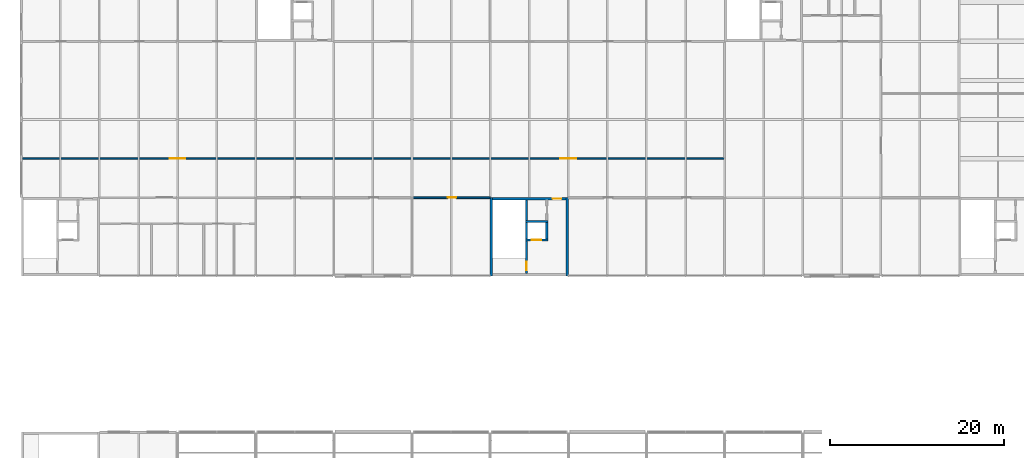
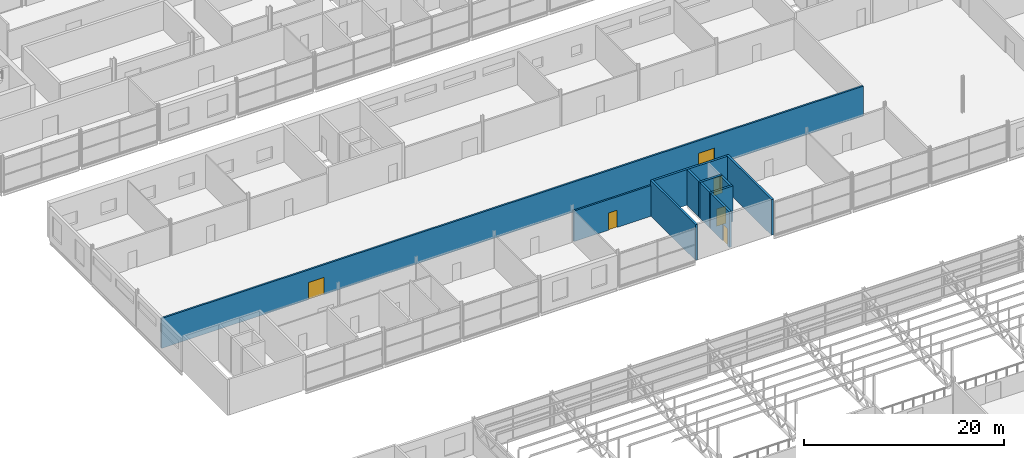
# One storey, part 114 of 138: 9 walls, 6 doors, 6 openings.
"""IFC4 building model written with IfcOpenShell, lengths in metres."""

from ifc_helpers import new_model, si_unit, direction, frame, frame_2d, origin, place, context, subcontext, project, spatial, rectangle, extrude, material, layer, layer_set, type_object, element, fill, save


model = new_model("IFC4")

# Units and contexts
model_context = context("Model", 3, precision=1e-05, world=origin(), true_north=direction((0.0, 1.0)))
body_context = subcontext(model_context, "Body", "Model", "MODEL_VIEW")
ifc_project = project(units=[si_unit("LENGTHUNIT", "METRE"), si_unit("AREAUNIT", "SQUARE_METRE"), si_unit("VOLUMEUNIT", "CUBIC_METRE"), si_unit("PLANEANGLEUNIT", "RADIAN"), si_unit("MASSUNIT", "GRAM", prefix="KILO")], contexts=[model_context])

# Site, building, storey
site_placement = place(None, origin())
site = spatial("IfcSite", under=ifc_project, at=site_placement, CompositionType="ELEMENT")
building_placement = place(site_placement, origin())
building = spatial("IfcBuilding", under=site, at=building_placement, Name="Corbel Yard City Hall", CompositionType="ELEMENT")
storey_placement = place(building_placement, frame((0.0, 0.0, 10.5)))
storey = spatial("IfcBuildingStorey", under=building, at=storey_placement, Name="L02", CompositionType="ELEMENT", Elevation=10.5)

# Walls
ifc_material_1 = material(Name="Concrete N50 (50 MPa)", Category="concrete")
ifc_layer_1 = layer(ifc_material_1, 0.25)
ifc_layer_set_1 = layer_set([ifc_layer_1], Name="Concrete N50 (50 MPa)")
wall_type_1 = type_object("IfcWallType", Name="Core cell wall 250", PredefinedType="SHEAR", material=ifc_layer_set_1)
for number, where, z_axis, x_axis, name in (
    (1, (54.125, 45.0, 0.0), (0.0, 0.0, 1.0), (0.0, 1.0, 0.0), "Core PC-M2 west wall"),
    (2, (62.875, 45.0, 0.0), (0.0, 0.0, 1.0), (0.0, 1.0, 0.0), "Core PC-M2 east wall"),
):
    element("IfcWall", number, at=place(storey_placement, frame(where, z_axis=z_axis, x_axis=x_axis)), inside=storey, type_object=wall_type_1, Name=name, PredefinedType="SHEAR", context=body_context, shape_type="SweptSolid", body=[
        extrude(rectangle(XDim=9.0, YDim=0.25, at=frame_2d((4.5, 0.0))), origin(), (0.0, 0.0, 1.0), 4.35009765625),
    ])

# Wall, opening, door
wall_1_placement = place(storey_placement, frame((54.25, 53.875, 0.0), z_axis=(0.0, 0.0, 1.0), x_axis=(1.0, 0.0, 0.0)))
wall_1 = element("IfcWall", 3, at=wall_1_placement, inside=storey, type_object=wall_type_1, Name="Core PC-M2 north wall", PredefinedType="SHEAR", context=body_context, shape_type="SweptSolid", body=[
    extrude(rectangle(XDim=8.5, YDim=0.25, at=frame_2d((4.25, 0.0))), origin(), (0.0, 0.0, 1.0), 4.35009765625),
])
opening_1_placement = place(wall_1_placement, frame((6.949951171875, 0.0, 0.0)))
opening_1 = element("IfcOpeningElement", 4, at=opening_1_placement, cuts=wall_1, Name="Opening L02-060", PredefinedType="OPENING", context=body_context, shape_type="SweptSolid", body=[
    extrude(rectangle(XDim=1.0, YDim=2.10009765625, at=frame_2d((0.5, 1.050048828125))), frame((0.0, 0.135009765625, 0.0), z_axis=(0.0, -1.0, 0.0), x_axis=(1.0, 0.0, 0.0)), (0.0, 0.0, 1.0), 0.27001953125),
])
ifc_material_2 = material(Name="Steel Grade G250", Category="steel")
door_type_1 = type_object("IfcDoorType", Name="FS1", OperationType="SINGLE_SWING_LEFT", PredefinedType="DOOR", material=ifc_material_2)
door_1_placement = place(opening_1_placement, frame((1.0, 0.0, 0.0), z_axis=(0.0, 0.0, 1.0), x_axis=(-1.0, 0.0, 0.0)))
door_1 = element("IfcDoor", 5, at=door_1_placement, inside=storey, type_object=door_type_1, Name="Door Lift Lobby", OperationType="SINGLE_SWING_RIGHT", OverallHeight=2.10009765625, OverallWidth=1.0, PredefinedType="DOOR", context=body_context, shape_type="SweptSolid", body=[
    extrude(rectangle(XDim=1.0, YDim=2.10009765625, at=frame_2d((0.5, 1.050048828125))), frame((0.0, 0.02490234375, 0.0), z_axis=(0.0, -1.0, 0.0), x_axis=(1.0, 0.0, 0.0)), (0.0, 0.0, 1.0), 0.050048828125),
])
fill(opening_1, door_1)

ifc_material_3 = material(Name="Concrete N40 (40 MPa)", Category="concrete")
ifc_layer_2 = layer(ifc_material_3, 0.25)
ifc_layer_set_2 = layer_set([ifc_layer_2], Name="Concrete N40 (40 MPa)")
wall_type_2 = type_object("IfcWallType", Name="IW2", PredefinedType="SOLIDWALL", material=ifc_layer_set_2)
wall_2_placement = place(storey_placement, frame((58.175048828125, 45.25, 0.0), z_axis=(0.0, 0.0, 1.0), x_axis=(0.0, 1.0, 0.0)))
wall_2 = element("IfcWall", 6, at=wall_2_placement, inside=storey, type_object=wall_type_2, Name="Stair enclosure wall", PredefinedType="SOLIDWALL", context=body_context, shape_type="SweptSolid", body=[
    extrude(rectangle(XDim=8.5, YDim=0.25, at=frame_2d((4.25, 0.0))), origin(), (0.0, 0.0, 1.0), 4.35009765625),
])
opening_2_placement = place(wall_2_placement, frame((0.39990234375, 0.0, 0.0)))
opening_2 = element("IfcOpeningElement", 7, at=opening_2_placement, cuts=wall_2, Name="Opening L02-059", PredefinedType="OPENING", context=body_context, shape_type="SweptSolid", body=[
    extrude(rectangle(XDim=1.0, YDim=2.10009765625, at=frame_2d((0.5, 1.050048828125))), frame((0.0, 0.135009765625, 0.0), z_axis=(0.0, -1.0, 0.0), x_axis=(1.0, 0.0, 0.0)), (0.0, 0.0, 1.0), 0.27001953125),
])
door_2_placement = place(opening_2_placement, origin())
door_2 = element("IfcDoor", 8, at=door_2_placement, inside=storey, type_object=door_type_1, Name="Door Exit Stair 9", OperationType="SINGLE_SWING_LEFT", OverallHeight=2.10009765625, OverallWidth=1.0, PredefinedType="DOOR", context=body_context, shape_type="SweptSolid", body=[
    extrude(rectangle(XDim=1.0, YDim=2.10009765625, at=frame_2d((0.5, 1.050048828125))), frame((0.0, 0.02490234375, 0.0), z_axis=(0.0, -1.0, 0.0), x_axis=(1.0, 0.0, 0.0)), (0.0, 0.0, 1.0), 0.050048828125),
])
fill(opening_2, door_2)

wall_3_placement = place(storey_placement, frame((58.050048828125, 49.125, 0.0), z_axis=(0.0, 0.0, 1.0), x_axis=(1.0, 0.0, 0.0)))
wall_3 = element("IfcWall", 9, at=wall_3_placement, inside=storey, type_object=wall_type_2, Name="Lift LP9 shaft wall", PredefinedType="SOLIDWALL", context=body_context, shape_type="SweptSolid", body=[
    extrude(rectangle(XDim=2.599853515625, YDim=0.25, at=frame_2d((1.2998046875, 0.0))), origin(), (0.0, 0.0, 1.0), 4.35009765625),
])
opening_3_placement = place(wall_3_placement, frame((0.75, 0.0, 0.0)))
opening_3 = element("IfcOpeningElement", 10, at=opening_3_placement, cuts=wall_3, Name="Opening L02-049", PredefinedType="OPENING", context=body_context, shape_type="SweptSolid", body=[
    extrude(rectangle(XDim=1.10009765625, YDim=2.10009765625, at=frame_2d((0.550048828125, 1.050048828125))), frame((0.0, 0.135009765625, 0.0), z_axis=(0.0, -1.0, 0.0), x_axis=(1.0, 0.0, 0.0)), (0.0, 0.0, 1.0), 0.27001953125),
])
ifc_material_4 = material(Name="Stainless steel Grade 316", Category="steel")
door_type_2 = type_object("IfcDoorType", Name="LD1", OperationType="DOUBLE_DOOR_SLIDING", PredefinedType="DOOR", material=ifc_material_4)
door_3_placement = place(opening_3_placement, origin())
door_3 = element("IfcDoor", 11, at=door_3_placement, inside=storey, type_object=door_type_2, Name="Lift LP9 landing door", OperationType="DOUBLE_DOOR_SLIDING", OverallHeight=2.10009765625, OverallWidth=1.10009765625, PredefinedType="DOOR", context=body_context, shape_type="SweptSolid", body=[
    extrude(rectangle(XDim=1.10009765625, YDim=2.10009765625, at=frame_2d((0.550048828125, 1.050048828125))), frame((0.0, 0.02490234375, 0.0), z_axis=(0.0, -1.0, 0.0), x_axis=(1.0, 0.0, 0.0)), (0.0, 0.0, 1.0), 0.050048828125),
])
fill(opening_3, door_3)

# Walls
wall_4_placement = place(storey_placement, frame((58.050048828125, 51.27490234375, 0.0), z_axis=(0.0, 0.0, 1.0), x_axis=(1.0, 0.0, 0.0)))
element("IfcWall", 12, at=wall_4_placement, inside=storey, type_object=wall_type_2, Name="Lift LP9 shaft wall", PredefinedType="SOLIDWALL", context=body_context, shape_type="SweptSolid", body=[
    extrude(rectangle(XDim=2.599853515625, YDim=0.25, at=frame_2d((1.2998046875, 0.0))), origin(), (0.0, 0.0, 1.0), 4.35009765625),
])
wall_5_placement = place(storey_placement, frame((60.52490234375, 49.25, 0.0), z_axis=(0.0, 0.0, 1.0), x_axis=(0.0, 1.0, 0.0)))
element("IfcWall", 13, at=wall_5_placement, inside=storey, type_object=wall_type_2, Name="Lift LP9 shaft wall", PredefinedType="SOLIDWALL", context=body_context, shape_type="SweptSolid", body=[
    extrude(rectangle(XDim=1.89990234375, YDim=0.25, at=frame_2d((0.949951171875, 0.0))), origin(), (0.0, 0.0, 1.0), 4.35009765625),
])

# Wall, opening, door
ifc_material_5 = material(Name="Gypsum plasterboard", Category="gypsum")
ifc_layer_3 = layer(ifc_material_5, 0.031982421875)
ifc_material_6 = material(Name="Steel Grade G550 (550 MPa yield)", Category="steel")
ifc_layer_4 = layer(ifc_material_6, 0.135986328125)
ifc_layer_5 = layer(ifc_material_5, 0.031982421875)
ifc_layer_set_3 = layer_set([ifc_layer_3, ifc_layer_4, ifc_layer_5], Name="Steel Grade G550 (550 MPa yield)")
wall_type_3 = type_object("IfcWallType", Name="PT2", PredefinedType="PARTITIONING", material=ifc_layer_set_3)
wall_6_placement = place(storey_placement, frame((45.1298828125, 54.0, 0.0), z_axis=(0.0, 0.0, 1.0), x_axis=(1.0, 0.0, 0.0)))
wall_6 = element("IfcWall", 14, at=wall_6_placement, inside=storey, type_object=wall_type_3, Name="Acoustic wall", PredefinedType="PARTITIONING", context=body_context, shape_type="SweptSolid", body=[
    extrude(rectangle(XDim=8.8701171875, YDim=0.199951171875, at=frame_2d((4.43505859375, 0.0))), origin(), (0.0, 0.0, 1.0), 3.738037109375),
])
opening_4_placement = place(wall_6_placement, frame((3.969970703125, 0.0, 0.0)))
opening_4 = element("IfcOpeningElement", 15, at=opening_4_placement, cuts=wall_6, Name="Opening L02-074", PredefinedType="OPENING", context=body_context, shape_type="SweptSolid", body=[
    extrude(rectangle(XDim=1.0, YDim=2.10009765625, at=frame_2d((0.5, 1.050048828125))), frame((0.0, 0.10986328125, 0.0), z_axis=(0.0, -1.0, 0.0), x_axis=(1.0, 0.0, 0.0)), (0.0, 0.0, 1.0), 0.219970703125),
])
ifc_material_7 = material(Name="Timber", Category="wood")
door_type_3 = type_object("IfcDoorType", Name="D1", OperationType="SINGLE_SWING_LEFT", PredefinedType="DOOR", material=ifc_material_7)
door_4_placement = place(opening_4_placement, frame((1.0, 0.0, 0.0), z_axis=(0.0, 0.0, 1.0), x_axis=(-1.0, 0.0, 0.0)))
door_4 = element("IfcDoor", 16, at=door_4_placement, inside=storey, type_object=door_type_3, Name="Door Study Carrel 3", OperationType="SINGLE_SWING_LEFT", OverallHeight=2.10009765625, OverallWidth=1.0, PredefinedType="DOOR", context=body_context, shape_type="SweptSolid", body=[
    extrude(rectangle(XDim=1.0, YDim=2.10009765625, at=frame_2d((0.5, 1.050048828125))), frame((0.0, 0.02490234375, 0.0), z_axis=(0.0, -1.0, 0.0), x_axis=(1.0, 0.0, 0.0)), (0.0, 0.0, 1.0), 0.050048828125),
])
fill(opening_4, door_4)

# Wall, openings, doors
wall_7_placement = place(storey_placement, frame((0.14990234375, 58.5, 0.0), z_axis=(0.0, 0.0, 1.0), x_axis=(1.0, 0.0, 0.0)))
wall_7 = element("IfcWall", 17, at=wall_7_placement, inside=storey, type_object=wall_type_3, Name="Acoustic wall", PredefinedType="PARTITIONING", context=body_context, shape_type="SweptSolid", body=[
    extrude(rectangle(XDim=80.9501953125, YDim=0.199951171875, at=frame_2d((40.47509765625, 0.0))), origin(), (0.0, 0.0, 1.0), 3.64990234375),
])
opening_5_placement = place(wall_7_placement, frame((16.949951171875, 0.0, 0.0)))
opening_5 = element("IfcOpeningElement", 18, at=opening_5_placement, cuts=wall_7, Name="Opening L02-065", PredefinedType="OPENING", context=body_context, shape_type="SweptSolid", body=[
    extrude(rectangle(XDim=1.800048828125, YDim=2.10009765625, at=frame_2d((0.89990234375, 1.050048828125))), frame((0.0, 0.10986328125, 0.0), z_axis=(0.0, -1.0, 0.0), x_axis=(1.0, 0.0, 0.0)), (0.0, 0.0, 1.0), 0.219970703125),
])
opening_6_placement = place(wall_7_placement, frame((61.949951171875, 0.0, 0.0)))
opening_6 = element("IfcOpeningElement", 19, at=opening_6_placement, cuts=wall_7, Name="Opening L02-066", PredefinedType="OPENING", context=body_context, shape_type="SweptSolid", body=[
    extrude(rectangle(XDim=1.800048828125, YDim=2.10009765625, at=frame_2d((0.89990234375, 1.050048828125))), frame((0.0, 0.10986328125, 0.0), z_axis=(0.0, -1.0, 0.0), x_axis=(1.0, 0.0, 0.0)), (0.0, 0.0, 1.0), 0.219970703125),
])
door_type_4 = type_object("IfcDoorType", Name="D3", OperationType="DOUBLE_DOOR_SINGLE_SWING", PredefinedType="DOOR", material=ifc_material_7)
door_5_placement = place(opening_5_placement, origin())
door_5 = element("IfcDoor", 20, at=door_5_placement, inside=storey, type_object=door_type_4, Name="Door Library Corridor", OperationType="DOUBLE_DOOR_SINGLE_SWING", OverallHeight=2.10009765625, OverallWidth=1.800048828125, PredefinedType="DOOR", context=body_context, shape_type="SweptSolid", body=[
    extrude(rectangle(XDim=1.800048828125, YDim=2.10009765625, at=frame_2d((0.89990234375, 1.050048828125))), frame((0.0, 0.02490234375, 0.0), z_axis=(0.0, -1.0, 0.0), x_axis=(1.0, 0.0, 0.0)), (0.0, 0.0, 1.0), 0.050048828125),
])
fill(opening_5, door_5)
door_6_placement = place(opening_6_placement, origin())
door_6 = element("IfcDoor", 21, at=door_6_placement, inside=storey, type_object=door_type_4, Name="Door Library Corridor", OperationType="DOUBLE_DOOR_SINGLE_SWING", OverallHeight=2.10009765625, OverallWidth=1.800048828125, PredefinedType="DOOR", context=body_context, shape_type="SweptSolid", body=[
    extrude(rectangle(XDim=1.800048828125, YDim=2.10009765625, at=frame_2d((0.89990234375, 1.050048828125))), frame((0.0, 0.02490234375, 0.0), z_axis=(0.0, -1.0, 0.0), x_axis=(1.0, 0.0, 0.0)), (0.0, 0.0, 1.0), 0.050048828125),
])
fill(opening_6, door_6)

save(model, "model.ifc")
